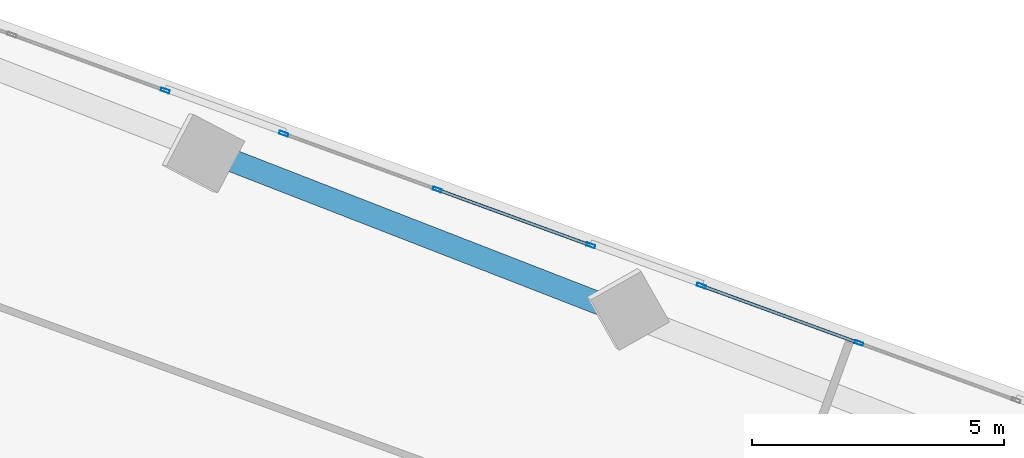
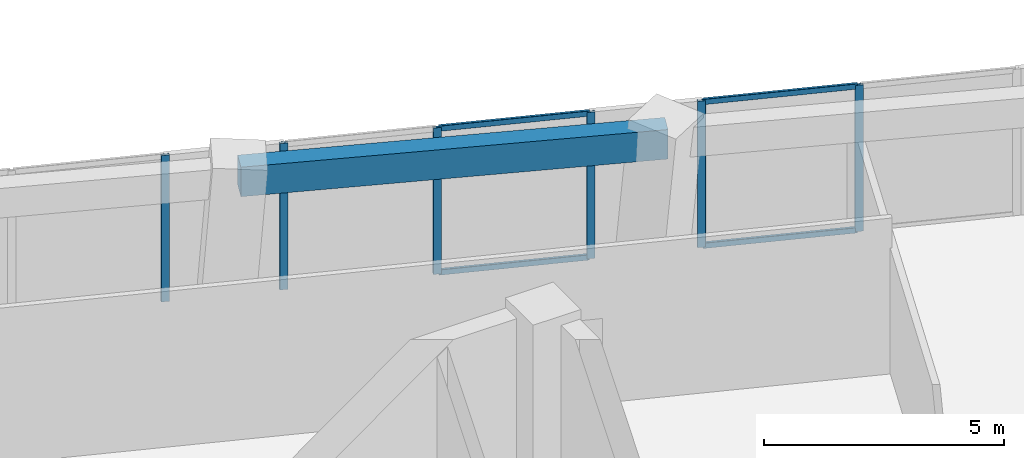
# One storey, part 14 of 21: 10 members, 1 beam, 3 elements without a shape of their own.
"""IFC4 building model written with IfcOpenShell, lengths in metres."""

import ifcopenshell
import ifcopenshell.guid

model = None  # the IFC model being written
_history = None  # IfcOwnerHistory: only IFC2X3 demands one
_inside = {}  # id of a spatial element -> (the spatial element, [elements in it])
_under = {}  # id of a project, library or spatial element -> (it, [spatial elements below it])
_declared = {}  # id of a project -> (the project, [libraries it declares])
_typed = {}  # id of a type object -> (the type object, [elements of that type])
_made_of = {}  # id of a material, layer set ... -> (it, [elements and type objects made of it])


def new_model(schema):
    """Start an empty IFC model of exactly this schema.

    Asked for "IFC4X3", IfcOpenShell would pick the latest addendum, in which some entities
    have other attributes; the version numbers below select the first issue.
    IFC2X3 requires an IfcOwnerHistory on every rooted entity: one is made here for all.
    """
    global model, _history
    if schema == "IFC4X3":
        model = ifcopenshell.file(schema_version=(4, 3, 0, 0))
    else:
        model = ifcopenshell.file(schema=schema)
    _inside.clear()
    _under.clear()
    _declared.clear()
    _typed.clear()
    _made_of.clear()
    _history = None
    if model.schema == "IFC2X3":
        org = make("IfcOrganization", Name="unknown")
        user = make(
            "IfcPersonAndOrganization",
            ThePerson=make("IfcPerson", FamilyName="unknown"),
            TheOrganization=org,
        )
        app = make(
            "IfcApplication",
            ApplicationDeveloper=org,
            Version="unknown",
            ApplicationFullName="unknown",
            ApplicationIdentifier="unknown",
        )
        _history = make(
            "IfcOwnerHistory",
            OwningUser=user,
            OwningApplication=app,
            ChangeAction="ADDED",
            CreationDate=0,
        )
    return model


def make(cls, **values):
    """One entity of the class cls with the attributes given. An attribute that is None is left unset."""
    return model.create_entity(
        cls, **{name: value for name, value in values.items() if value is not None}
    )


def rooted(cls, **values):
    """An entity with a GlobalId (a new one), such as an element, a storey or a relation."""
    return make(cls, GlobalId=ifcopenshell.guid.new(), OwnerHistory=_history, **values)


def si_unit(unit_type, name, prefix=None):
    """IfcSIUnit, for example si_unit("LENGTHUNIT", "METRE", prefix="MILLI")."""
    return make("IfcSIUnit", UnitType=unit_type, Prefix=prefix, Name=name)


def assignment(units):
    """IfcUnitAssignment: the units of a project."""
    return None if units is None else make("IfcUnitAssignment", Units=units)


def point(xyz):
    """IfcCartesianPoint."""
    return None if xyz is None else make("IfcCartesianPoint", Coordinates=xyz)


def direction(xyz):
    """IfcDirection."""
    return None if xyz is None else make("IfcDirection", DirectionRatios=xyz)


def frame(location, z_axis=None, x_axis=None):
    """IfcAxis2Placement3D, a coordinate frame: its origin and axes. An axis left out is left unset."""
    return make(
        "IfcAxis2Placement3D",
        Location=point(location),
        Axis=direction(z_axis),
        RefDirection=direction(x_axis),
    )


def frame_2d(location, x_axis=None):
    """IfcAxis2Placement2D, a coordinate frame in the plane: its origin and x axis."""
    return make(
        "IfcAxis2Placement2D", Location=point(location), RefDirection=direction(x_axis)
    )


def origin():
    """The frame at (0, 0, 0) with its axes left unset."""
    return frame((0.0, 0.0, 0.0))


def origin_2d():
    """The frame at (0, 0) in the plane with its x axis left unset."""
    return frame_2d((0.0, 0.0))


def place(relative_to, where):
    """IfcLocalPlacement: puts the frame where relative to a parent placement (None: the world)."""
    return make(
        "IfcLocalPlacement", PlacementRelTo=relative_to, RelativePlacement=where
    )


def context(
    kind, dimensions, precision=None, world=None, true_north=None, identifier=None
):
    """IfcGeometricRepresentationContext, for example the 3D "Model" context."""
    return make(
        "IfcGeometricRepresentationContext",
        ContextIdentifier=identifier,
        ContextType=kind,
        CoordinateSpaceDimension=dimensions,
        Precision=precision,
        WorldCoordinateSystem=world,
        TrueNorth=true_north,
    )


def subcontext(parent, identifier, kind, view, scale=None):
    """IfcGeometricRepresentationSubContext, for example "Body" below "Model"."""
    return make(
        "IfcGeometricRepresentationSubContext",
        ContextIdentifier=identifier,
        ContextType=kind,
        ParentContext=parent,
        TargetScale=scale,
        TargetView=view,
    )


def project(units=None, contexts=None):
    """IfcProject with its units and contexts."""
    return rooted(
        "IfcProject",
        Name="project",
        RepresentationContexts=contexts,
        UnitsInContext=assignment(units),
    )


def spatial(cls, under=None, at=None, **own):
    """A site, building, storey or space (cls), placed at a placement, below another one or the project."""
    s = rooted(cls, ObjectPlacement=at, **own)
    if under is not None:
        _under.setdefault(under.id(), (under, []))[1].append(s)
    return s


def profile(cls, at=None, kind="AREA", **sizes):
    """A parametric profile (cls). Its sizes go by their IFC names, for example OverallWidth=200.0."""
    return make(cls, ProfileType=kind, Position=at, **sizes)


def rectangle(**sizes):
    """IfcRectangleProfileDef."""
    return profile("IfcRectangleProfileDef", **sizes)


def hollow_rectangle(**sizes):
    """IfcRectangleHollowProfileDef."""
    return profile("IfcRectangleHollowProfileDef", **sizes)


def extrude(swept, where, along, depth):
    """IfcExtrudedAreaSolid: the profile swept, set in the frame where, extruded along a direction by depth."""
    return make(
        "IfcExtrudedAreaSolid",
        SweptArea=swept,
        Position=where,
        ExtrudedDirection=direction(along),
        Depth=depth,
    )


def shape(context_of_items, identifier, shape_type, items):
    """IfcShapeRepresentation: the items that make up one representation, for example the "Body"."""
    return make(
        "IfcShapeRepresentation",
        ContextOfItems=context_of_items,
        RepresentationIdentifier=identifier,
        RepresentationType=shape_type,
        Items=items,
    )


def source(mapping_origin, context_of_items, identifier, shape_type, items):
    """IfcRepresentationMap: a shape defined once, which mapped items show again and again."""
    return make(
        "IfcRepresentationMap",
        MappingOrigin=mapping_origin,
        MappedRepresentation=shape(context_of_items, identifier, shape_type, items),
    )


def transform(
    local_origin,
    x_axis=None,
    y_axis=None,
    z_axis=None,
    scale=None,
    scale2=None,
    scale3=None,
    uniform=True,
):
    """IfcCartesianTransformationOperator3D, or its non-uniform kind. x_axis, y_axis, z_axis: its Axis1, 2, 3."""
    if uniform:
        return make(
            "IfcCartesianTransformationOperator3D",
            Axis1=direction(x_axis),
            Axis2=direction(y_axis),
            LocalOrigin=point(local_origin),
            Scale=scale,
            Axis3=direction(z_axis),
        )
    return make(
        "IfcCartesianTransformationOperator3DnonUniform",
        Axis1=direction(x_axis),
        Axis2=direction(y_axis),
        LocalOrigin=point(local_origin),
        Scale=scale,
        Axis3=direction(z_axis),
        Scale2=scale2,
        Scale3=scale3,
    )


def mapped(mapping_source, mapping_target):
    """IfcMappedItem: shows the shape of a source again, moved by a transform."""
    return make(
        "IfcMappedItem", MappingSource=mapping_source, MappingTarget=mapping_target
    )


def material(Name=None, Category=None):
    """IfcMaterial."""
    return make("IfcMaterial", Name=Name, Category=Category)


def material_profile(
    of_material, cross_section, Name=None, Category=None, Priority=None
):
    """IfcMaterialProfile: a cross section and its material."""
    return make(
        "IfcMaterialProfile",
        Name=Name,
        Material=of_material,
        Profile=cross_section,
        Priority=Priority,
        Category=Category,
    )


def profile_set(profiles, Name=None, composite=None):
    """IfcMaterialProfileSet."""
    return make(
        "IfcMaterialProfileSet",
        Name=Name,
        MaterialProfiles=profiles,
        CompositeProfile=composite,
    )


def made_of(thing, what):
    """Note that an element or type object is made of a material, layer set ...; save() writes the relation."""
    if what is not None:
        _made_of.setdefault(what.id(), (what, []))[1].append(thing)
    return thing


def type_object(cls, material=None, **own):
    """A type object (cls), such as IfcWallType, which elements share."""
    return made_of(rooted(cls, **own), material)


def element(
    cls,
    number,
    at=None,
    inside=None,
    cuts=None,
    type_object=None,
    material=None,
    context=None,
    identifier="Body",
    shape_type=None,
    held_by="IfcProductDefinitionShape",
    body=None,
    shapes=None,
    **own,
):
    """One element of the class cls, such as IfcWall. Its Tag is "e" and its number.

    at: its placement. inside: the storey or other place that contains it. cuts: it is an
    opening in that element (IfcRelVoidsElement). A single representation is given by context,
    identifier, shape_type and body (its items); several are given by shapes. held_by: the class
    of the entity that holds the representations. save() writes the other relations.
    """
    e = rooted(cls, Tag="e%d" % number, ObjectPlacement=at, **own)
    if body is not None:
        shapes = [shape(context, identifier, shape_type, body)]
    if shapes is not None:
        e.Representation = make(held_by, Representations=shapes)
    if inside is not None:
        _inside.setdefault(inside.id(), (inside, []))[1].append(e)
    if cuts is not None:
        rooted(
            "IfcRelVoidsElement", RelatingBuildingElement=cuts, RelatedOpeningElement=e
        )
    if type_object is not None:
        _typed.setdefault(type_object.id(), (type_object, []))[1].append(e)
    return made_of(e, material)


def aggregate(whole, parts):
    """IfcRelAggregates: a whole, such as a stair, and the parts it consists of."""
    return rooted("IfcRelAggregates", RelatingObject=whole, RelatedObjects=parts)


def save(model, path):
    """Write the relations noted so far, then the file.

    IfcRelAggregates (storeys below a building ...), IfcRelContainedInSpatialStructure (elements
    in a storey), IfcRelDefinesByType, IfcRelAssociatesMaterial and IfcRelDeclares: one each for
    every whole, place, type object, material and project.
    """
    for whole, parts in _under.values():
        aggregate(whole, parts)
    for where, things in _inside.values():
        rooted(
            "IfcRelContainedInSpatialStructure",
            RelatedElements=things,
            RelatingStructure=where,
        )
    for kind, things in _typed.values():
        rooted("IfcRelDefinesByType", RelatedObjects=things, RelatingType=kind)
    for what, things in _made_of.values():
        rooted("IfcRelAssociatesMaterial", RelatedObjects=things, RelatingMaterial=what)
    for by, libraries in _declared.values():
        rooted("IfcRelDeclares", RelatingContext=by, RelatedDefinitions=libraries)
    model.write(path)


model = new_model("IFC4")

# Units and contexts
model_context = context("Model", 3, precision=1e-05, world=origin(), true_north=direction((0.0, 1.0)))
body_context = subcontext(model_context, "Body", "Model", "MODEL_VIEW")
ifc_project = project(units=[si_unit("LENGTHUNIT", "METRE"), si_unit("AREAUNIT", "SQUARE_METRE"), si_unit("VOLUMEUNIT", "CUBIC_METRE"), si_unit("PLANEANGLEUNIT", "RADIAN"), si_unit("MASSUNIT", "GRAM", prefix="KILO")], contexts=[model_context])

# Site, building, storey
site_placement = place(None, origin())
site = spatial("IfcSite", under=ifc_project, at=site_placement, CompositionType="ELEMENT")
building_placement = place(site_placement, origin())
building = spatial("IfcBuilding", under=site, at=building_placement, Name="Torre Montelarca", CompositionType="ELEMENT")
storey_placement = place(building_placement, frame((0.0, 0.0, 133.0)))
storey = spatial("IfcBuildingStorey", under=building, at=storey_placement, Name="L29", CompositionType="ELEMENT", Elevation=133.0)

# Beam
ifc_material_1 = material(Name="Concrete C55/67", Category="concrete")
ifc_material_profile_1 = material_profile(ifc_material_1, rectangle(XDim=0.449951171875, YDim=0.75, at=origin_2d()), Name="RCB450X750", Category="concrete")
ifc_profile_set_1 = profile_set([ifc_material_profile_1], Name="Concrete C55/67")
beam_type = type_object("IfcBeamType", Name="BM-SP-RC750-EXT", PredefinedType="SPANDREL", material=ifc_profile_set_1)
shared_shape_1 = source(origin(), body_context, "Body", "SweptSolid", [
    extrude(rectangle(XDim=0.449951171875, YDim=0.75, at=origin_2d()), origin(), (0.0, 0.0, 1.0), 9.0),
])
beam_placement = place(storey_placement, frame((23.72900390625, 47.388427734375, 3.5849609375), z_axis=(0.932005180628, -0.362444952073, 0.0), x_axis=(0.362444952073, 0.932005180628, 0.0)))
element("IfcBeam", 1, at=beam_placement, inside=storey, type_object=beam_type, Name="L29 Grid Girder X 18.0-27.0 at Y=47.1", PredefinedType="SPANDREL", context=body_context, shape_type="MappedRepresentation", body=[
    mapped(shared_shape_1, transform((0.0, 0.0, 0.0), scale=1.0)),
])

# Curtain wall, members
ifc_material_2 = material(Name="Insulated low-E laminated glass", Category="glass")
curtain_wall_type = type_object("IfcCurtainWallType", Name="CW-SYS-Z2", PredefinedType="USERDEFINED", material=ifc_material_2)
curtain_wall_1_placement = place(storey_placement, origin())
curtain_wall_1 = element("IfcCurtainWall", 2, at=curtain_wall_1_placement, inside=storey, type_object=curtain_wall_type, Name="L29 Curtain Wall Run CW-T3-L29-E08-B2", ObjectType="UNITISED GLAZING", PredefinedType="USERDEFINED")
ifc_material_3 = material(Name="Anodised aluminium AA 6063-T6", Category="aluminium")
ifc_material_profile_2 = material_profile(ifc_material_3, hollow_rectangle(XDim=0.06494140625, YDim=0.179931640625, WallThickness=0.00390625, InnerFilletRadius=0.00390625, OuterFilletRadius=0.008056640625, at=origin_2d()), Name="ALU65X180X4", Category="aluminium")
ifc_profile_set_2 = profile_set([ifc_material_profile_2], Name="Anodised aluminium AA 6063-T6")
member_type_1 = type_object("IfcMemberType", Name="CWM-ALU180", PredefinedType="MULLION", material=ifc_profile_set_2)
shared_shape_2 = source(origin(), body_context, "Body", "SweptSolid", [
    extrude(hollow_rectangle(XDim=0.06494140625, YDim=0.179931640625, WallThickness=0.00390625, InnerFilletRadius=0.00390625, OuterFilletRadius=0.008056640625, at=origin_2d()), origin(), (0.0, 0.0, 1.0), 3.719970703125),
])
member_1_placement = place(storey_placement, frame((36.470458984375, 43.652587890625, 0.0), z_axis=(0.0, 0.0, 1.0), x_axis=(-0.342017637326, -0.939693532892, 0.0)))
member_1 = element("IfcMember", 3, at=member_1_placement, type_object=member_type_1, Name="CW mullion 2", PredefinedType="MULLION", context=body_context, shape_type="MappedRepresentation", body=[
    mapped(shared_shape_2, transform((0.0, 0.0, 0.0), scale=1.0)),
])
member_2_placement = place(storey_placement, frame((33.341064453125, 44.79150390625, 0.0), z_axis=(0.0, 0.0, 1.0), x_axis=(-0.342017637326, -0.939693532892, 0.0)))
member_2 = element("IfcMember", 4, at=member_2_placement, type_object=member_type_1, Name="CW mullion 3", PredefinedType="MULLION", context=body_context, shape_type="MappedRepresentation", body=[
    mapped(shared_shape_2, transform((0.0, 0.0, 0.0), scale=1.0)),
])

curtain_wall_2_placement = place(storey_placement, origin())
curtain_wall_2 = element("IfcCurtainWall", 5, at=curtain_wall_2_placement, inside=storey, type_object=curtain_wall_type, Name="L29 Curtain Wall Run CW-T3-L29-E08-B3", ObjectType="UNITISED GLAZING", PredefinedType="USERDEFINED")
member_3_placement = place(storey_placement, frame((31.142578125, 45.591796875, 0.0), z_axis=(0.0, 0.0, 1.0), x_axis=(-0.342017269195, -0.939693666879, 0.0)))
member_3 = element("IfcMember", 6, at=member_3_placement, type_object=member_type_1, Name="CW mullion 1", PredefinedType="MULLION", context=body_context, shape_type="MappedRepresentation", body=[
    mapped(shared_shape_2, transform((0.0, 0.0, 0.0), scale=1.0)),
])
member_4_placement = place(storey_placement, frame((28.091552734375, 46.7021484375, 0.0), z_axis=(0.0, 0.0, 1.0), x_axis=(-0.342017269195, -0.939693666879, 0.0)))
member_4 = element("IfcMember", 7, at=member_4_placement, type_object=member_type_1, Name="CW mullion 2", PredefinedType="MULLION", context=body_context, shape_type="MappedRepresentation", body=[
    mapped(shared_shape_2, transform((0.0, 0.0, 0.0), scale=1.0)),
])
member_5_placement = place(storey_placement, frame((25.04052734375, 47.812744140625, 0.0), z_axis=(0.0, 0.0, 1.0), x_axis=(-0.342017269195, -0.939693666879, 0.0)))
member_5 = element("IfcMember", 8, at=member_5_placement, type_object=member_type_1, Name="CW mullion 3", PredefinedType="MULLION", context=body_context, shape_type="MappedRepresentation", body=[
    mapped(shared_shape_2, transform((0.0, 0.0, 0.0), scale=1.0)),
])

# Curtain wall, member
curtain_wall_3_placement = place(storey_placement, origin())
curtain_wall_3 = element("IfcCurtainWall", 9, at=curtain_wall_3_placement, inside=storey, type_object=curtain_wall_type, Name="L29 Curtain Wall Run CW-T3-L29-E08-B4", ObjectType="UNITISED GLAZING", PredefinedType="USERDEFINED")
member_6_placement = place(storey_placement, frame((22.685546875, 48.669921875, 0.0), z_axis=(0.0, 0.0, 1.0), x_axis=(-0.342021031195, -0.939692297627, 0.0)))
member_6 = element("IfcMember", 10, at=member_6_placement, type_object=member_type_1, Name="CW mullion 1", PredefinedType="MULLION", context=body_context, shape_type="MappedRepresentation", body=[
    mapped(shared_shape_2, transform((0.0, 0.0, 0.0), scale=1.0)),
])
aggregate(curtain_wall_3, [member_6])

# Member
ifc_material_profile_3 = material_profile(ifc_material_3, hollow_rectangle(XDim=0.06494140625, YDim=0.139892578125, WallThickness=0.00390625, InnerFilletRadius=0.00390625, OuterFilletRadius=0.008056640625, at=origin_2d()), Name="ALU65X140X4", Category="aluminium")
ifc_profile_set_3 = profile_set([ifc_material_profile_3], Name="Anodised aluminium AA 6063-T6")
member_type_2 = type_object("IfcMemberType", Name="CWT-ALU140", PredefinedType="USERDEFINED", material=ifc_profile_set_3)
shared_shape_3 = source(origin(), body_context, "Body", "SweptSolid", [
    extrude(hollow_rectangle(XDim=0.06494140625, YDim=0.139892578125, WallThickness=0.00390625, InnerFilletRadius=0.00390625, OuterFilletRadius=0.008056640625, at=origin_2d()), origin(), (0.0, 0.0, 1.0), 3.26513671875),
])
member_7_placement = place(storey_placement, frame((36.43994140625, 43.66357421875, 0.032470703125), z_axis=(-0.939701701652, 0.34199519282, 0.0), x_axis=(-0.34199519282, -0.939701701652, 0.0)))
member_7 = element("IfcMember", 11, at=member_7_placement, type_object=member_type_2, Name="CW transom 2.1", ObjectType="TRANSOM", PredefinedType="USERDEFINED", context=body_context, shape_type="MappedRepresentation", body=[
    mapped(shared_shape_3, transform((0.0, 0.0, 0.0), scale=1.0)),
])

member_8_placement = place(storey_placement, frame((36.43994140625, 43.66357421875, 3.6875), z_axis=(-0.939701701652, 0.34199519282, 0.0), x_axis=(-0.34199519282, -0.939701701652, 0.0)))
member_8 = element("IfcMember", 12, at=member_8_placement, type_object=member_type_2, Name="CW transom 2.2", ObjectType="TRANSOM", PredefinedType="USERDEFINED", context=body_context, shape_type="MappedRepresentation", body=[
    mapped(shared_shape_3, transform((0.0, 0.0, 0.0), scale=1.0)),
])

aggregate(curtain_wall_1, [member_1, member_2, member_7, member_8])

shared_shape_4 = source(origin(), body_context, "Body", "SweptSolid", [
    extrude(hollow_rectangle(XDim=0.06494140625, YDim=0.139892578125, WallThickness=0.00390625, InnerFilletRadius=0.00390625, OuterFilletRadius=0.008056640625, at=origin_2d()), origin(), (0.0, 0.0, 1.0), 3.181884765625),
])
member_9_placement = place(storey_placement, frame((31.112060546875, 45.602783203125, 0.032470703125), z_axis=(-0.939681362098, 0.342051074731, 0.0), x_axis=(-0.342051074731, -0.939681362098, 0.0)))
member_9 = element("IfcMember", 13, at=member_9_placement, type_object=member_type_2, Name="CW transom 1.1", ObjectType="TRANSOM", PredefinedType="USERDEFINED", context=body_context, shape_type="MappedRepresentation", body=[
    mapped(shared_shape_4, transform((0.0, 0.0, 0.0), scale=1.0)),
])

member_10_placement = place(storey_placement, frame((31.112060546875, 45.602783203125, 3.6875), z_axis=(-0.939681362098, 0.342051074731, 0.0), x_axis=(-0.342051074731, -0.939681362098, 0.0)))
member_10 = element("IfcMember", 14, at=member_10_placement, type_object=member_type_2, Name="CW transom 1.2", ObjectType="TRANSOM", PredefinedType="USERDEFINED", context=body_context, shape_type="MappedRepresentation", body=[
    mapped(shared_shape_4, transform((0.0, 0.0, 0.0), scale=1.0)),
])

aggregate(curtain_wall_2, [member_3, member_4, member_5, member_9, member_10])

save(model, "model.ifc")
